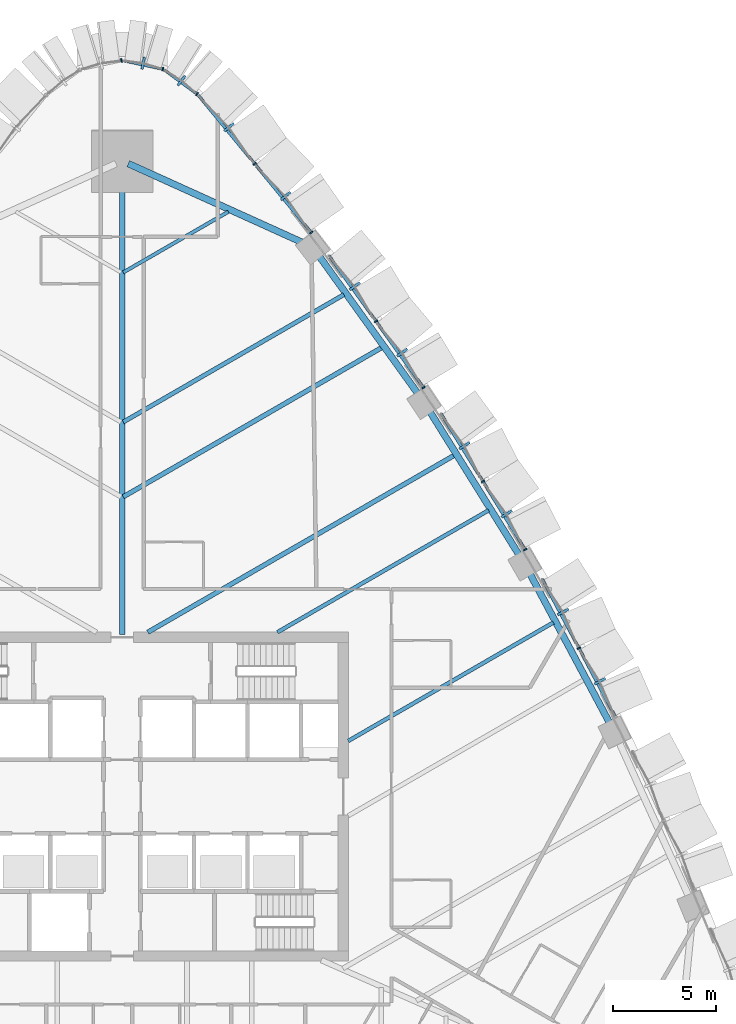
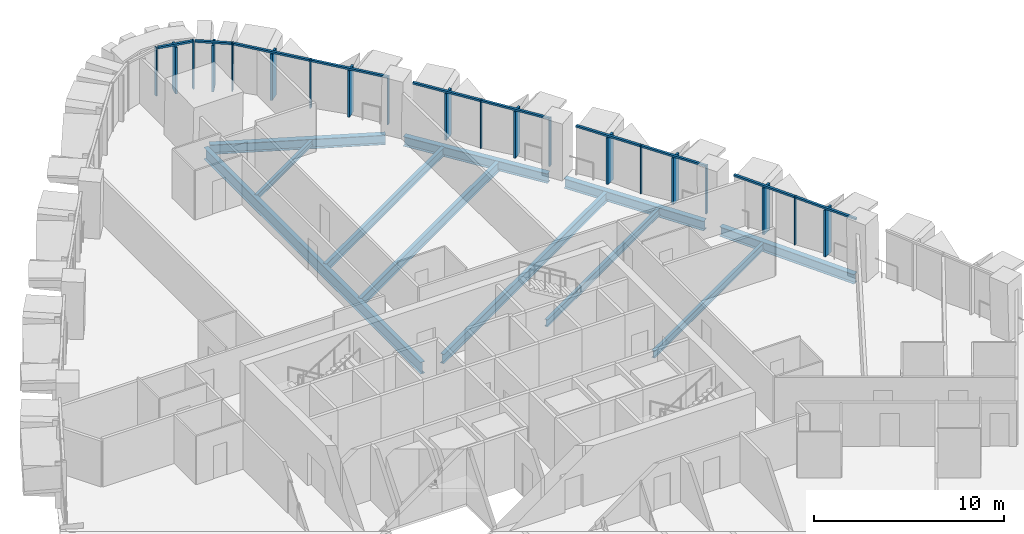
# One storey, part 7 of 22: 30 members, 11 beams, 7 elements without a shape of their own.
"""IFC4 building model written with IfcOpenShell, lengths in metres."""

from ifc_helpers import new_model, si_unit, direction, frame, origin, origin_2d, place, context, subcontext, project, spatial, rectangle, i_section, extrude, material, layer, layer_set, material_profile, profile_set, type_object, element, aggregate, save


model = new_model("IFC4")

# Units and contexts
model_context = context("Model", 3, precision=1e-05, world=origin(), true_north=direction((0.0, 1.0)))
body_context = subcontext(model_context, "Body", "Model", "MODEL_VIEW")
ifc_project = project(units=[si_unit("LENGTHUNIT", "METRE"), si_unit("AREAUNIT", "SQUARE_METRE"), si_unit("VOLUMEUNIT", "CUBIC_METRE"), si_unit("PLANEANGLEUNIT", "RADIAN"), si_unit("MASSUNIT", "GRAM", prefix="KILO")], contexts=[model_context])

# Site, building, storey
site_placement = place(None, origin())
site = spatial("IfcSite", under=ifc_project, at=site_placement, CompositionType="ELEMENT")
building_placement = place(site_placement, origin())
building = spatial("IfcBuilding", under=site, at=building_placement, Name="Sierra Prisma Convention Tower", CompositionType="ELEMENT")
storey_placement = place(building_placement, frame((0.0, 0.0, 62.800048828125)))
storey = spatial("IfcBuildingStorey", under=building, at=storey_placement, Name="L11", CompositionType="ELEMENT", Elevation=62.800048828125)

# Curtain wall, members
ifc_material_1 = material(Name="Aluminium and glass curtain wall", Category="aluminium")
ifc_layer = layer(ifc_material_1, 0.179931640625)
ifc_layer_set = layer_set([ifc_layer], Name="CW-2 Faceted crystal curtain wall")
curtain_wall_type = type_object("IfcCurtainWallType", Name="CW-2 Faceted crystal curtain wall", PredefinedType="NOTDEFINED", material=ifc_layer_set)
curtain_wall_1_placement = place(storey_placement, origin())
curtain_wall_1 = element("IfcCurtainWall", 1, at=curtain_wall_1_placement, inside=storey, type_object=curtain_wall_type, Name="CW-2 NE3 L11", PredefinedType="NOTDEFINED")
ifc_material_2 = material(Name="Aluminium 6063-T6 bronze anodised", Category="aluminium")
ifc_material_profile_1 = material_profile(ifc_material_2, rectangle(XDim=0.1201171875, YDim=0.60009765625, at=origin_2d()), Name="ALU RIDGE BLADE 120x600")
ifc_profile_set_1 = profile_set([ifc_material_profile_1], Name="Aluminium 6063-T6 bronze anodised")
member_type_1 = type_object("IfcMemberType", Name="CW hip bronze", PredefinedType="MULLION", material=ifc_profile_set_1)
member_1_placement = place(storey_placement, frame((23.244140625, 5.614501953125, 0.0), z_axis=(0.0, 0.0, 1.0), x_axis=(-0.468232759613, 0.88360516229, 0.0)))
member_1 = element("IfcMember", 2, at=member_1_placement, type_object=member_type_1, Name="CW-2 ridge NE3.1", PredefinedType="MULLION", context=body_context, shape_type="SweptSolid", body=[
    extrude(rectangle(XDim=0.1201171875, YDim=0.60009765625, at=origin_2d()), origin(), (0.0, 0.0, 1.0), 2.97998046875),
])
member_2_placement = place(storey_placement, frame((21.45703125, 8.987060546875, 0.0), z_axis=(0.0, 0.0, 1.0), x_axis=(-0.468232759613, 0.88360516229, 0.0)))
member_2 = element("IfcMember", 3, at=member_2_placement, type_object=member_type_1, Name="CW-2 ridge NE3.2", PredefinedType="MULLION", context=body_context, shape_type="SweptSolid", body=[
    extrude(rectangle(XDim=0.1201171875, YDim=0.60009765625, at=origin_2d()), origin(), (0.0, 0.0, 1.0), 2.97998046875),
])

curtain_wall_2_placement = place(storey_placement, origin())
curtain_wall_2 = element("IfcCurtainWall", 4, at=curtain_wall_2_placement, inside=storey, type_object=curtain_wall_type, Name="CW-2 NE4 L11", PredefinedType="NOTDEFINED")
member_3_placement = place(storey_placement, frame((18.7080078125, 13.758544921875, 0.0), z_axis=(0.0, 0.0, 1.0), x_axis=(-0.526313924096, 0.850290334711, 0.0)))
member_3 = element("IfcMember", 5, at=member_3_placement, type_object=member_type_1, Name="CW-2 ridge NE4.1", PredefinedType="MULLION", context=body_context, shape_type="SweptSolid", body=[
    extrude(rectangle(XDim=0.1201171875, YDim=0.60009765625, at=origin_2d()), origin(), (0.0, 0.0, 1.0), 2.97998046875),
])
member_4_placement = place(storey_placement, frame((16.655029296875, 17.0751953125, 0.0), z_axis=(0.0, 0.0, 1.0), x_axis=(-0.526313924096, 0.850290334711, 0.0)))
member_4 = element("IfcMember", 6, at=member_4_placement, type_object=member_type_1, Name="CW-2 ridge NE4.2", PredefinedType="MULLION", context=body_context, shape_type="SweptSolid", body=[
    extrude(rectangle(XDim=0.1201171875, YDim=0.60009765625, at=origin_2d()), origin(), (0.0, 0.0, 1.0), 2.97998046875),
])

curtain_wall_3_placement = place(storey_placement, origin())
curtain_wall_3 = element("IfcCurtainWall", 7, at=curtain_wall_3_placement, inside=storey, type_object=curtain_wall_type, Name="CW-2 NE5 L11", PredefinedType="NOTDEFINED")
member_5_placement = place(storey_placement, frame((13.62890625, 21.60546875, 0.0), z_axis=(0.0, 0.0, 1.0), x_axis=(-0.582035465677, 0.813163400981, 0.0)))
member_5 = element("IfcMember", 8, at=member_5_placement, type_object=member_type_1, Name="CW-2 ridge NE5.1", PredefinedType="MULLION", context=body_context, shape_type="SweptSolid", body=[
    extrude(rectangle(XDim=0.1201171875, YDim=0.60009765625, at=origin_2d()), origin(), (0.0, 0.0, 1.0), 2.97998046875),
])
member_6_placement = place(storey_placement, frame((11.3193359375, 24.83203125, 0.0), z_axis=(0.0, 0.0, 1.0), x_axis=(-0.582035465677, 0.813163400981, 0.0)))
member_6 = element("IfcMember", 9, at=member_6_placement, type_object=member_type_1, Name="CW-2 ridge NE5.2", PredefinedType="MULLION", context=body_context, shape_type="SweptSolid", body=[
    extrude(rectangle(XDim=0.1201171875, YDim=0.60009765625, at=origin_2d()), origin(), (0.0, 0.0, 1.0), 2.97998046875),
])

curtain_wall_4_placement = place(storey_placement, origin())
curtain_wall_4 = element("IfcCurtainWall", 10, at=curtain_wall_4_placement, inside=storey, type_object=curtain_wall_type, Name="CW-2 NE6 L11", PredefinedType="NOTDEFINED")
member_7_placement = place(storey_placement, frame((7.953369140625, 29.224609375, 0.0), z_axis=(0.0, 0.0, 1.0), x_axis=(-0.635147567987, 0.772390812271, 0.0)))
member_7 = element("IfcMember", 11, at=member_7_placement, type_object=member_type_1, Name="CW-2 ridge NE6.1", PredefinedType="MULLION", context=body_context, shape_type="SweptSolid", body=[
    extrude(rectangle(XDim=0.1201171875, YDim=0.60009765625, at=origin_2d()), origin(), (0.0, 0.0, 1.0), 2.97998046875),
])
member_8_placement = place(storey_placement, frame((5.200927734375, 32.57177734375, 0.0), z_axis=(0.0, 0.0, 1.0), x_axis=(-0.635147567987, 0.772390812271, 0.0)))
member_8 = element("IfcMember", 12, at=member_8_placement, type_object=member_type_1, Name="CW-2 ridge NE6.2", PredefinedType="MULLION", context=body_context, shape_type="SweptSolid", body=[
    extrude(rectangle(XDim=0.1201171875, YDim=0.60009765625, at=origin_2d()), origin(), (0.0, 0.0, 1.0), 2.97998046875),
])

# Curtain wall, member
curtain_wall_5_placement = place(storey_placement, origin())
curtain_wall_5 = element("IfcCurtainWall", 13, at=curtain_wall_5_placement, inside=storey, type_object=curtain_wall_type, Name="CW-2 N1 L11", PredefinedType="NOTDEFINED")
member_9_placement = place(storey_placement, frame((2.88916015625, 34.839599609375, 0.0), z_axis=(0.0, 0.0, 1.0), x_axis=(-0.803982549782, 0.594652890051, 0.0)))
member_9 = element("IfcMember", 14, at=member_9_placement, type_object=member_type_1, Name="CW-2 ridge N1.1", PredefinedType="MULLION", context=body_context, shape_type="SweptSolid", body=[
    extrude(rectangle(XDim=0.1201171875, YDim=0.60009765625, at=origin_2d()), origin(), (0.0, 0.0, 1.0), 2.97998046875),
])

curtain_wall_6_placement = place(storey_placement, origin())
curtain_wall_6 = element("IfcCurtainWall", 15, at=curtain_wall_6_placement, inside=storey, type_object=curtain_wall_type, Name="CW-2 N2 L11", PredefinedType="NOTDEFINED")
member_10_placement = place(storey_placement, frame((1.023681640625, 35.682861328125, 0.0), z_axis=(0.0, 0.0, 1.0), x_axis=(-0.977553516969, 0.210687259845, 0.0)))
member_10 = element("IfcMember", 16, at=member_10_placement, type_object=member_type_1, Name="CW-2 ridge N2.1", PredefinedType="MULLION", context=body_context, shape_type="SweptSolid", body=[
    extrude(rectangle(XDim=0.1201171875, YDim=0.60009765625, at=origin_2d()), origin(), (0.0, 0.0, 1.0), 2.97998046875),
])

# Member
ifc_material_3 = material(Name="Aluminium 6063-T6 bronze anodised", Category="aluminium")
ifc_material_profile_2 = material_profile(ifc_material_3, rectangle(XDim=0.179931640625, YDim=0.070068359375, at=origin_2d()), Name="ALU MULLION 70x180")
ifc_profile_set_2 = profile_set([ifc_material_profile_2], Name="Aluminium 6063-T6 bronze anodised")
member_type_2 = type_object("IfcMemberType", Name="CW mullion bronze", PredefinedType="MULLION", material=ifc_profile_set_2)
member_11_placement = place(storey_placement, frame((22.220458984375, 7.231689453125, 0.0), z_axis=(0.0, 0.0, 1.0), x_axis=(-0.88360516229, -0.468232759613, 0.0)))
member_11 = element("IfcMember", 17, at=member_11_placement, type_object=member_type_2, Name="CW-1 mullion NE3.2", PredefinedType="MULLION", context=body_context, shape_type="SweptSolid", body=[
    extrude(rectangle(XDim=0.179931640625, YDim=0.070068359375, at=origin_2d()), origin(), (0.0, 0.0, 1.0), 3.099853515625),
])

member_12_placement = place(storey_placement, frame((19.6064453125, 12.020751953125, 0.0), z_axis=(0.0, 0.0, 1.0), x_axis=(-0.850290334711, -0.526313924096, 0.0)))
member_12 = element("IfcMember", 18, at=member_12_placement, type_object=member_type_2, Name="CW-1 mullion NE4.1", PredefinedType="MULLION", context=body_context, shape_type="SweptSolid", body=[
    extrude(rectangle(XDim=0.179931640625, YDim=0.070068359375, at=origin_2d()), origin(), (0.0, 0.0, 1.0), 3.099853515625),
])

member_13_placement = place(storey_placement, frame((17.553466796875, 15.33740234375, 0.0), z_axis=(0.0, 0.0, 1.0), x_axis=(-0.850290334711, -0.526313924096, 0.0)))
member_13 = element("IfcMember", 19, at=member_13_placement, type_object=member_type_2, Name="CW-1 mullion NE4.2", PredefinedType="MULLION", context=body_context, shape_type="SweptSolid", body=[
    extrude(rectangle(XDim=0.179931640625, YDim=0.070068359375, at=origin_2d()), origin(), (0.0, 0.0, 1.0), 3.099853515625),
])

member_14_placement = place(storey_placement, frame((14.658935546875, 19.90283203125, 0.0), z_axis=(0.0, 0.0, 1.0), x_axis=(-0.813163400981, -0.582035465677, 0.0)))
member_14 = element("IfcMember", 20, at=member_14_placement, type_object=member_type_2, Name="CW-1 mullion NE5.1", PredefinedType="MULLION", context=body_context, shape_type="SweptSolid", body=[
    extrude(rectangle(XDim=0.179931640625, YDim=0.070068359375, at=origin_2d()), origin(), (0.0, 0.0, 1.0), 3.099853515625),
])

member_15_placement = place(storey_placement, frame((12.349365234375, 23.12939453125, 0.0), z_axis=(0.0, 0.0, 1.0), x_axis=(-0.813163400981, -0.582035465677, 0.0)))
member_15 = element("IfcMember", 21, at=member_15_placement, type_object=member_type_2, Name="CW-1 mullion NE5.2", PredefinedType="MULLION", context=body_context, shape_type="SweptSolid", body=[
    extrude(rectangle(XDim=0.179931640625, YDim=0.070068359375, at=origin_2d()), origin(), (0.0, 0.0, 1.0), 3.099853515625),
])

member_16_placement = place(storey_placement, frame((9.199951171875, 27.444580078125, 0.0), z_axis=(0.0, 0.0, 1.0), x_axis=(-0.772390812271, -0.635147567987, 0.0)))
member_16 = element("IfcMember", 22, at=member_16_placement, type_object=member_type_2, Name="CW-1 mullion NE6.1", PredefinedType="MULLION", context=body_context, shape_type="SweptSolid", body=[
    extrude(rectangle(XDim=0.179931640625, YDim=0.070068359375, at=origin_2d()), origin(), (0.0, 0.0, 1.0), 3.099853515625),
])

member_17_placement = place(storey_placement, frame((6.447509765625, 30.79150390625, 0.0), z_axis=(0.0, 0.0, 1.0), x_axis=(-0.772390812271, -0.635147567987, 0.0)))
member_17 = element("IfcMember", 23, at=member_17_placement, type_object=member_type_2, Name="CW-1 mullion NE6.2", PredefinedType="MULLION", context=body_context, shape_type="SweptSolid", body=[
    extrude(rectangle(XDim=0.179931640625, YDim=0.070068359375, at=origin_2d()), origin(), (0.0, 0.0, 1.0), 3.099853515625),
])

member_18_placement = place(storey_placement, frame((3.64501953125, 34.1865234375, 0.0), z_axis=(0.0, 0.0, 1.0), x_axis=(-0.594652890051, -0.803982549782, 0.0)))
member_18 = element("IfcMember", 24, at=member_18_placement, type_object=member_type_2, Name="CW-1 mullion N1.1", PredefinedType="MULLION", context=body_context, shape_type="SweptSolid", body=[
    extrude(rectangle(XDim=0.179931640625, YDim=0.070068359375, at=origin_2d()), origin(), (0.0, 0.0, 1.0), 3.099853515625),
])

member_19_placement = place(storey_placement, frame((1.981201171875, 35.399169921875, 0.0), z_axis=(0.0, 0.0, 1.0), x_axis=(-0.210687259845, -0.977553516969, 0.0)))
member_19 = element("IfcMember", 25, at=member_19_placement, type_object=member_type_2, Name="CW-1 mullion N2.1", PredefinedType="MULLION", context=body_context, shape_type="SweptSolid", body=[
    extrude(rectangle(XDim=0.179931640625, YDim=0.070068359375, at=origin_2d()), origin(), (0.0, 0.0, 1.0), 3.099853515625),
])

# Curtain wall, member
curtain_wall_7_placement = place(storey_placement, origin())
curtain_wall_7 = element("IfcCurtainWall", 26, at=curtain_wall_7_placement, inside=storey, type_object=curtain_wall_type, Name="CW-2 N3 L11", PredefinedType="NOTDEFINED")
member_20_placement = place(storey_placement, frame((-0.0341796875, 35.818603515625, 0.0), z_axis=(0.0, 0.0, 1.0), x_axis=(0.210687259845, -0.977553516969, 0.0)))
member_20 = element("IfcMember", 27, at=member_20_placement, type_object=member_type_2, Name="CW-1 mullion N3.1", PredefinedType="MULLION", context=body_context, shape_type="SweptSolid", body=[
    extrude(rectangle(XDim=0.179931640625, YDim=0.070068359375, at=origin_2d()), origin(), (0.0, 0.0, 1.0), 3.099853515625),
])
aggregate(curtain_wall_7, [member_20])

# Member
ifc_material_4 = material(Name="Aluminium 6063-T6 bronze anodised", Category="aluminium")
ifc_material_profile_3 = material_profile(ifc_material_4, rectangle(XDim=0.139892578125, YDim=0.1201171875, at=origin_2d()), Name="ALU TRANSOM 120x140")
ifc_profile_set_3 = profile_set([ifc_material_profile_3], Name="Aluminium 6063-T6 bronze anodised")
member_type_3 = type_object("IfcMemberType", Name="CW transom bronze", PredefinedType="USERDEFINED", material=ifc_profile_set_3)
member_21_placement = place(storey_placement, frame((23.9912109375, 3.889892578125, 3.0400390625), z_axis=(-0.468199023435, 0.883623038662, 0.0), x_axis=(-0.883623038662, -0.468199023435, 0.0)))
member_21 = element("IfcMember", 28, at=member_21_placement, type_object=member_type_3, Name="CW-1 transom NE3.1", ObjectType="TRANSOM", PredefinedType="USERDEFINED", context=body_context, shape_type="SweptSolid", body=[
    extrude(rectangle(XDim=0.139892578125, YDim=0.1201171875, at=origin_2d()), origin(), (0.0, 0.0, 1.0), 3.7470703125),
])

member_22_placement = place(storey_placement, frame((22.203857421875, 7.2626953125, 3.0400390625), z_axis=(-0.468225979861, 0.883608754926, 0.0), x_axis=(-0.883608754926, -0.468225979861, 0.0)))
member_22 = element("IfcMember", 29, at=member_22_placement, type_object=member_type_3, Name="CW-1 transom NE3.2", ObjectType="TRANSOM", PredefinedType="USERDEFINED", context=body_context, shape_type="SweptSolid", body=[
    extrude(rectangle(XDim=0.139892578125, YDim=0.1201171875, at=origin_2d()), origin(), (0.0, 0.0, 1.0), 3.746826171875),
])

aggregate(curtain_wall_1, [member_11, member_21, member_1, member_22, member_2])

member_23_placement = place(storey_placement, frame((19.588134765625, 12.050537109375, 3.0400390625), z_axis=(-0.526339256844, 0.850274653688, 0.0), x_axis=(-0.850274653688, -0.526339256844, 0.0)))
member_23 = element("IfcMember", 30, at=member_23_placement, type_object=member_type_3, Name="CW-1 transom NE4.1", ObjectType="TRANSOM", PredefinedType="USERDEFINED", context=body_context, shape_type="SweptSolid", body=[
    extrude(rectangle(XDim=0.139892578125, YDim=0.1201171875, at=origin_2d()), origin(), (0.0, 0.0, 1.0), 3.830810546875),
])

member_24_placement = place(storey_placement, frame((17.534912109375, 15.3671875, 3.0400390625), z_axis=(-0.526293180436, 0.850303174301, 0.0), x_axis=(-0.850303174301, -0.526293180436, 0.0)))
member_24 = element("IfcMember", 31, at=member_24_placement, type_object=member_type_3, Name="CW-1 transom NE4.2", ObjectType="TRANSOM", PredefinedType="USERDEFINED", context=body_context, shape_type="SweptSolid", body=[
    extrude(rectangle(XDim=0.139892578125, YDim=0.1201171875, at=origin_2d()), origin(), (0.0, 0.0, 1.0), 3.830810546875),
])

aggregate(curtain_wall_2, [member_12, member_13, member_23, member_3, member_24, member_4])

member_25_placement = place(storey_placement, frame((14.638671875, 19.931396484375, 3.0400390625), z_axis=(-0.582043667202, 0.813157530538, 0.0), x_axis=(-0.813157530538, -0.582043667202, 0.0)))
member_25 = element("IfcMember", 32, at=member_25_placement, type_object=member_type_3, Name="CW-1 transom NE5.1", ObjectType="TRANSOM", PredefinedType="USERDEFINED", context=body_context, shape_type="SweptSolid", body=[
    extrude(rectangle(XDim=0.139892578125, YDim=0.1201171875, at=origin_2d()), origin(), (0.0, 0.0, 1.0), 3.89794921875),
])

member_26_placement = place(storey_placement, frame((12.3291015625, 23.157958984375, 3.0400390625), z_axis=(-0.582043667202, 0.813157530538, 0.0), x_axis=(-0.813157530538, -0.582043667202, 0.0)))
member_26 = element("IfcMember", 33, at=member_26_placement, type_object=member_type_3, Name="CW-1 transom NE5.2", ObjectType="TRANSOM", PredefinedType="USERDEFINED", context=body_context, shape_type="SweptSolid", body=[
    extrude(rectangle(XDim=0.139892578125, YDim=0.1201171875, at=origin_2d()), origin(), (0.0, 0.0, 1.0), 3.89794921875),
])

aggregate(curtain_wall_3, [member_14, member_15, member_25, member_5, member_26, member_6])

member_27_placement = place(storey_placement, frame((9.177734375, 27.4716796875, 3.0400390625), z_axis=(-0.635169173756, 0.772373045044, 0.0), x_axis=(-0.772373045044, -0.635169173756, 0.0)))
member_27 = element("IfcMember", 34, at=member_27_placement, type_object=member_type_3, Name="CW-1 transom NE6.1", ObjectType="TRANSOM", PredefinedType="USERDEFINED", context=body_context, shape_type="SweptSolid", body=[
    extrude(rectangle(XDim=0.139892578125, YDim=0.1201171875, at=origin_2d()), origin(), (0.0, 0.0, 1.0), 4.263427734375),
])

member_28_placement = place(storey_placement, frame((6.42529296875, 30.818603515625, 3.0400390625), z_axis=(-0.635135010641, 0.772401138178, 0.0), x_axis=(-0.772401138178, -0.635135010641, 0.0)))
member_28 = element("IfcMember", 35, at=member_28_placement, type_object=member_type_3, Name="CW-1 transom NE6.2", ObjectType="TRANSOM", PredefinedType="USERDEFINED", context=body_context, shape_type="SweptSolid", body=[
    extrude(rectangle(XDim=0.139892578125, YDim=0.1201171875, at=origin_2d()), origin(), (0.0, 0.0, 1.0), 4.26318359375),
])

aggregate(curtain_wall_4, [member_16, member_17, member_27, member_7, member_28, member_8])

member_29_placement = place(storey_placement, frame((3.61669921875, 34.207275390625, 3.0400390625), z_axis=(-0.803946373753, 0.594701797651, 0.0), x_axis=(-0.594701797651, -0.803946373753, 0.0)))
member_29 = element("IfcMember", 36, at=member_29_placement, type_object=member_type_3, Name="CW-1 transom N1.1", ObjectType="TRANSOM", PredefinedType="USERDEFINED", context=body_context, shape_type="SweptSolid", body=[
    extrude(rectangle(XDim=0.139892578125, YDim=0.1201171875, at=origin_2d()), origin(), (0.0, 0.0, 1.0), 1.921630859375),
])

aggregate(curtain_wall_5, [member_18, member_29, member_9])

member_30_placement = place(storey_placement, frame((1.947021484375, 35.406494140625, 3.0400390625), z_axis=(-0.977565686511, 0.210630787295, 0.0), x_axis=(-0.210630787295, -0.977565686511, 0.0)))
member_30 = element("IfcMember", 37, at=member_30_placement, type_object=member_type_3, Name="CW-1 transom N2.1", ObjectType="TRANSOM", PredefinedType="USERDEFINED", context=body_context, shape_type="SweptSolid", body=[
    extrude(rectangle(XDim=0.139892578125, YDim=0.1201171875, at=origin_2d()), origin(), (0.0, 0.0, 1.0), 1.921875),
])

aggregate(curtain_wall_6, [member_19, member_30, member_10])

# Beams
ifc_material_5 = material(Name="Steel ASTM A992 Gr 50", Category="steel")
ifc_material_profile_4 = material_profile(ifc_material_5, i_section(OverallWidth=0.172119140625, OverallDepth=0.35791015625, WebThickness=0.0078125, FlangeThickness=0.01318359375, at=origin_2d()), Name="W360x57")
ifc_profile_set_4 = profile_set([ifc_material_profile_4], Name="Steel ASTM A992 Gr 50")
beam_type_1 = type_object("IfcBeamType", Name="Floor joist W360x57", PredefinedType="JOIST", material=ifc_profile_set_4)
beam_1_placement = place(storey_placement, frame((5.168701171875, 28.45849609375, -0.3291015625), z_axis=(-0.866039676728, -0.499975277722, 0.0), x_axis=(0.499975277722, -0.866039676728, 0.0)))
element("IfcBeam", 38, at=beam_1_placement, inside=storey, type_object=beam_type_1, Name="Floor joist L11 NE16", PredefinedType="JOIST", context=body_context, shape_type="SweptSolid", body=[
    extrude(i_section(OverallWidth=0.172119140625, OverallDepth=0.35791015625, WebThickness=0.0078125, FlangeThickness=0.01318359375, at=origin_2d()), origin(), (0.0, 0.0, 1.0), 5.906982421875),
])
ifc_material_6 = material(Name="Steel ASTM A992 Gr 50", Category="steel")
ifc_material_profile_5 = material_profile(ifc_material_6, i_section(OverallWidth=0.18994140625, OverallDepth=0.45703125, WebThickness=0.009033203125, FlangeThickness=0.014404296875, at=origin_2d()), Name="W460x74")
ifc_profile_set_5 = profile_set([ifc_material_profile_5], Name="Steel ASTM A992 Gr 50")
beam_type_2 = type_object("IfcBeamType", Name="Floor joist W460x74", PredefinedType="JOIST", material=ifc_profile_set_5)
beam_2_placement = place(storey_placement, frame((20.97900390625, 8.472900390625, -0.378662109375), z_axis=(-0.866031045215, -0.499990228629, 0.0), x_axis=(0.499990228629, -0.866031045215, 0.0)))
element("IfcBeam", 39, at=beam_2_placement, inside=storey, type_object=beam_type_2, Name="Floor joist L11 NE08", PredefinedType="JOIST", context=body_context, shape_type="SweptSolid", body=[
    extrude(i_section(OverallWidth=0.18994140625, OverallDepth=0.45703125, WebThickness=0.009033203125, FlangeThickness=0.014404296875, at=origin_2d()), origin(), (0.0, 0.0, 1.0), 11.522705078125),
])
beam_3_placement = place(storey_placement, frame((17.8271484375, 13.931640625, -0.378662109375), z_axis=(-0.866025885238, -0.499999166098, 0.0), x_axis=(0.499999166098, -0.866025885238, 0.0)))
element("IfcBeam", 40, at=beam_3_placement, inside=storey, type_object=beam_type_2, Name="Floor joist L11 NE10", PredefinedType="JOIST", context=body_context, shape_type="SweptSolid", body=[
    extrude(i_section(OverallWidth=0.18994140625, OverallDepth=0.45703125, WebThickness=0.009033203125, FlangeThickness=0.014404296875, at=origin_2d()), origin(), (0.0, 0.0, 1.0), 11.86328125),
])
ifc_material_7 = material(Name="Steel ASTM A992 Gr 50", Category="steel")
ifc_material_profile_6 = material_profile(ifc_material_7, i_section(OverallWidth=0.208984375, OverallDepth=0.532958984375, WebThickness=0.01025390625, FlangeThickness=0.015625, at=origin_2d()), Name="W530x92")
ifc_profile_set_6 = profile_set([ifc_material_profile_6], Name="Steel ASTM A992 Gr 50")
beam_type_3 = type_object("IfcBeamType", Name="Floor joist W530x92", PredefinedType="JOIST", material=ifc_profile_set_6)
beam_4_placement = place(storey_placement, frame((10.79052734375, 24.426025390625, -0.41650390625), z_axis=(-0.866020647649, -0.500008237779, 0.0), x_axis=(0.500008237779, -0.866020647649, 0.0)))
element("IfcBeam", 41, at=beam_4_placement, inside=storey, type_object=beam_type_3, Name="Floor joist L11 NE14", PredefinedType="JOIST", context=body_context, shape_type="SweptSolid", body=[
    extrude(i_section(OverallWidth=0.208984375, OverallDepth=0.532958984375, WebThickness=0.01025390625, FlangeThickness=0.015625, at=origin_2d()), origin(), (0.0, 0.0, 1.0), 12.398681640625),
])
ifc_material_8 = material(Name="Steel ASTM A992 Gr 50", Category="steel")
ifc_material_profile_7 = material_profile(ifc_material_8, i_section(OverallWidth=0.22802734375, OverallDepth=0.60302734375, WebThickness=0.010498046875, FlangeThickness=0.014892578125, at=origin_2d()), Name="W610x101")
ifc_profile_set_7 = profile_set([ifc_material_profile_7], Name="Steel ASTM A992 Gr 50")
beam_type_4 = type_object("IfcBeamType", Name="Floor joist W610x101", PredefinedType="JOIST", material=ifc_profile_set_7)
beam_5_placement = place(storey_placement, frame((16.161376953125, 16.609130859375, -0.45166015625), z_axis=(-0.86602785807, -0.499995749028, 0.0), x_axis=(0.499995749028, -0.86602785807, 0.0)))
element("IfcBeam", 42, at=beam_5_placement, inside=storey, type_object=beam_type_4, Name="Floor joist L11 NE11", PredefinedType="JOIST", context=body_context, shape_type="SweptSolid", body=[
    extrude(i_section(OverallWidth=0.22802734375, OverallDepth=0.60302734375, WebThickness=0.010498046875, FlangeThickness=0.014892578125, at=origin_2d()), origin(), (0.0, 0.0, 1.0), 17.218505859375),
])
beam_6_placement = place(storey_placement, frame((12.637451171875, 21.85302734375, -0.45166015625), z_axis=(-0.866026109287, -0.499998778031, 0.0), x_axis=(0.499998778031, -0.866026109287, 0.0)))
element("IfcBeam", 43, at=beam_6_placement, inside=storey, type_object=beam_type_4, Name="Floor joist L11 NE13", PredefinedType="JOIST", context=body_context, shape_type="SweptSolid", body=[
    extrude(i_section(OverallWidth=0.22802734375, OverallDepth=0.60302734375, WebThickness=0.010498046875, FlangeThickness=0.014892578125, at=origin_2d()), origin(), (0.0, 0.0, 1.0), 14.53125),
])
ifc_material_9 = material(Name="Steel ASTM A992 Gr 50", Category="steel")
ifc_material_profile_8 = material_profile(ifc_material_9, i_section(OverallWidth=0.264892578125, OverallDepth=0.7529296875, WebThickness=0.01318359375, FlangeThickness=0.01708984375, at=origin_2d()), Name="W760x147")
ifc_profile_set_8 = profile_set([ifc_material_profile_8], Name="Steel ASTM A992 Gr 50")
beam_type_5 = type_object("IfcBeamType", Name="Radial girder W760x147", PredefinedType="BEAM", material=ifc_profile_set_8)
beam_7_placement = place(storey_placement, frame((0.0, 30.63330078125, -0.526611328125), z_axis=(0.0, -1.0, 0.0), x_axis=(1.0, 0.0, 0.0)))
element("IfcBeam", 44, at=beam_7_placement, inside=storey, type_object=beam_type_5, Name="Radial girder L11 N", PredefinedType="BEAM", context=body_context, shape_type="SweptSolid", body=[
    extrude(i_section(OverallWidth=0.264892578125, OverallDepth=0.7529296875, WebThickness=0.01318359375, FlangeThickness=0.01708984375, at=origin_2d()), origin(), (0.0, 0.0, 1.0), 22.75341796875),
])
ifc_material_10 = material(Name="Steel ASTM A992 Gr 50", Category="steel")
ifc_material_profile_9 = material_profile(ifc_material_10, i_section(OverallWidth=0.324951171875, OverallDepth=0.615966796875, WebThickness=0.013916015625, FlangeThickness=0.021484375, at=origin_2d()), Name="W610x174")
ifc_profile_set_9 = profile_set([ifc_material_profile_9], Name="Steel ASTM A992 Gr 50")
beam_type_6 = type_object("IfcBeamType", Name="Spandrel beam W610x174", PredefinedType="BEAM", material=ifc_profile_set_9)
for number, where, z_axis, x_axis, name in (
    (45, (23.73828125, 3.5458984375, -0.4580078125), (-0.471163651154, 0.88204581164, 0.0), (-0.88204581164, -0.471163651154, 0.0), "Spandrel L11-09"),
    (46, (19.3369140625, 11.718505859375, -0.4580078125), (-0.528310345565, 0.849051340479, 0.0), (-0.849051340479, -0.528310345565, 0.0), "Spandrel L11-10"),
):
    element("IfcBeam", number, at=place(storey_placement, frame(where, z_axis=z_axis, x_axis=x_axis)), inside=storey, type_object=beam_type_6, Name=name, PredefinedType="BEAM", context=body_context, shape_type="SweptSolid", body=[
        extrude(i_section(OverallWidth=0.324951171875, OverallDepth=0.615966796875, WebThickness=0.013916015625, FlangeThickness=0.021484375, at=origin_2d()), origin(), (0.0, 0.0, 1.0), 8.32275390625),
    ])
beam_8_placement = place(storey_placement, frame((14.406005859375, 19.5830078125, -0.4580078125), z_axis=(-0.583178987717, 0.812343688524, 0.0), x_axis=(-0.812343688524, -0.583178987717, 0.0)))
element("IfcBeam", 47, at=beam_8_placement, inside=storey, type_object=beam_type_6, Name="Spandrel L11-11", PredefinedType="BEAM", context=body_context, shape_type="SweptSolid", body=[
    extrude(i_section(OverallWidth=0.324951171875, OverallDepth=0.615966796875, WebThickness=0.013916015625, FlangeThickness=0.021484375, at=origin_2d()), origin(), (0.0, 0.0, 1.0), 8.322509765625),
])
beam_9_placement = place(storey_placement, frame((8.76220703125, 26.96484375, -0.4580078125), z_axis=(-0.910929954988, 0.412561046519, 0.0), x_axis=(-0.412561046519, -0.910929954988, 0.0)))
element("IfcBeam", 48, at=beam_9_placement, inside=storey, type_object=beam_type_6, Name="Spandrel L11-12", PredefinedType="BEAM", context=body_context, shape_type="SweptSolid", body=[
    extrude(i_section(OverallWidth=0.324951171875, OverallDepth=0.615966796875, WebThickness=0.013916015625, FlangeThickness=0.021484375, at=origin_2d()), origin(), (0.0, 0.0, 1.0), 9.28955078125),
])

save(model, "model.ifc")
